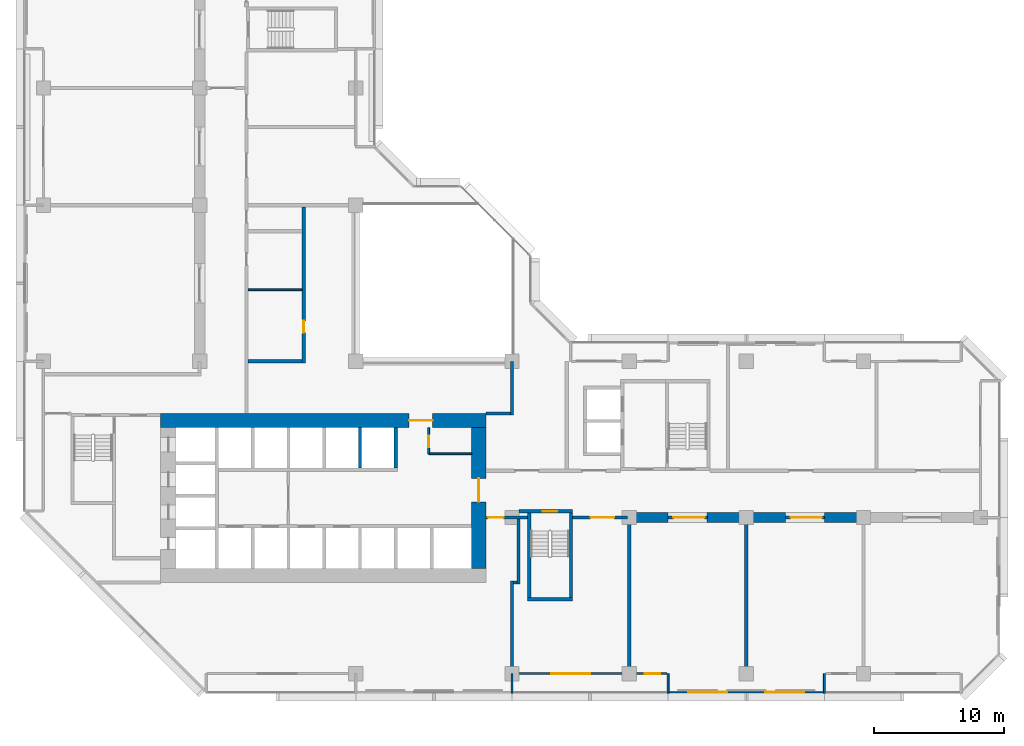
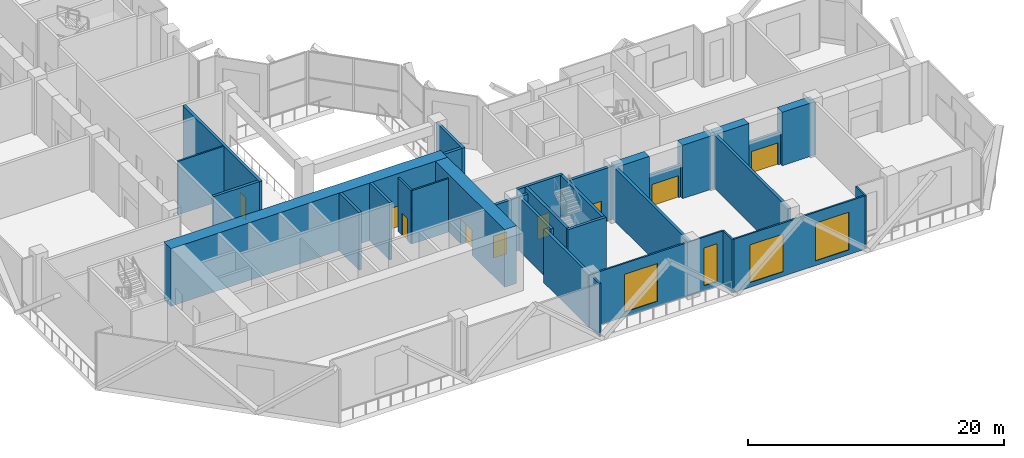
# One storey, part 7 of 14: 33 walls, 9 doors, 4 windows, 13 openings.
"""IFC4 building model written with IfcOpenShell, lengths in metres."""

from ifc_helpers import new_model, si_unit, direction, frame, frame_2d, origin, place, context, subcontext, project, spatial, rectangle, extrude, material, layer, layer_set, type_object, element, fill, save


model = new_model("IFC4")

# Units and contexts
model_context = context("Model", 3, precision=1e-05, world=origin(), true_north=direction((0.0, 1.0)))
body_context = subcontext(model_context, "Body", "Model", "MODEL_VIEW")
ifc_project = project(units=[si_unit("LENGTHUNIT", "METRE"), si_unit("AREAUNIT", "SQUARE_METRE"), si_unit("VOLUMEUNIT", "CUBIC_METRE"), si_unit("PLANEANGLEUNIT", "RADIAN"), si_unit("MASSUNIT", "GRAM", prefix="KILO")], contexts=[model_context])

# Site, building, storey
site_placement = place(None, origin())
site = spatial("IfcSite", under=ifc_project, at=site_placement, CompositionType="ELEMENT")
building_placement = place(site_placement, origin())
building = spatial("IfcBuilding", under=site, at=building_placement, Name="Chenar Terraces", CompositionType="ELEMENT")
storey_placement = place(building_placement, frame((0.0, 0.0, 86.39990234375)))
storey = spatial("IfcBuildingStorey", under=building, at=storey_placement, Name="L19", CompositionType="ELEMENT", Elevation=86.39990234375)

# Walls
ifc_material_1 = material(Name="Concrete C70/85", Category="concrete")
ifc_layer_1 = layer(ifc_material_1, 0.800048828125)
ifc_layer_set_1 = layer_set([ifc_layer_1], Name="Concrete C70/85")
wall_type_1 = type_object("IfcWallType", Name="Belt wall 800 Concrete C70/85", PredefinedType="SHEAR", material=ifc_layer_set_1)
wall_1_placement = place(storey_placement, frame((45.0, 12.0, 0.0), z_axis=(0.0, 0.0, 1.0), x_axis=(1.0, 0.0, 0.0)))
element("IfcWall", 1, at=wall_1_placement, inside=storey, type_object=wall_type_1, Name="Belt wall L19 A1", PredefinedType="SHEAR", context=body_context, shape_type="SweptSolid", body=[
    extrude(rectangle(XDim=3.0, YDim=0.800048828125, at=frame_2d((1.5, 0.0))), origin(), (0.0, 0.0, 1.0), 5.10009765625),
])
wall_2_placement = place(storey_placement, frame((51.0, 12.0, 0.0), z_axis=(0.0, 0.0, 1.0), x_axis=(1.0, 0.0, 0.0)))
element("IfcWall", 2, at=wall_2_placement, inside=storey, type_object=wall_type_1, Name="Belt wall L19 A1", PredefinedType="SHEAR", context=body_context, shape_type="SweptSolid", body=[
    extrude(rectangle(XDim=3.0, YDim=0.800048828125, at=frame_2d((1.5, 0.0))), origin(), (0.0, 0.0, 1.0), 5.10009765625),
])
wall_3_placement = place(storey_placement, frame((54.0, 12.0, 0.0), z_axis=(0.0, 0.0, 1.0), x_axis=(1.0, 0.0, 0.0)))
element("IfcWall", 3, at=wall_3_placement, inside=storey, type_object=wall_type_1, Name="Belt wall L19 A2", PredefinedType="SHEAR", context=body_context, shape_type="SweptSolid", body=[
    extrude(rectangle(XDim=3.0, YDim=0.800048828125, at=frame_2d((1.5, 0.0))), origin(), (0.0, 0.0, 1.0), 5.10009765625),
])
wall_4_placement = place(storey_placement, frame((60.0, 12.0, 0.0), z_axis=(0.0, 0.0, 1.0), x_axis=(1.0, 0.0, 0.0)))
element("IfcWall", 4, at=wall_4_placement, inside=storey, type_object=wall_type_1, Name="Belt wall L19 A2", PredefinedType="SHEAR", context=body_context, shape_type="SweptSolid", body=[
    extrude(rectangle(XDim=3.0, YDim=0.800048828125, at=frame_2d((1.5, 0.0))), origin(), (0.0, 0.0, 1.0), 5.10009765625),
])

# Wall, opening, door
ifc_material_2 = material(Name="Gypsum board on steel studs", Category="steel")
ifc_layer_2 = layer(ifc_material_2, 0.14990234375)
ifc_layer_set_2 = layer_set([ifc_layer_2], Name="Gypsum board on steel studs")
wall_type_2 = type_object("IfcWallType", Name="Core partition 150 gypsum board", PredefinedType="PARTITIONING", material=ifc_layer_set_2)
wall_5_placement = place(storey_placement, frame((29.60009765625, 16.89990234375, 0.0), z_axis=(0.0, 0.0, 1.0), x_axis=(0.0, 1.0, 0.0)))
wall_5 = element("IfcWall", 5, at=wall_5_placement, inside=storey, type_object=wall_type_2, Name="Core partition CP1 vestibule room west wall", PredefinedType="PARTITIONING", context=body_context, shape_type="SweptSolid", body=[
    extrude(rectangle(XDim=2.0, YDim=0.14990234375, at=frame_2d((1.0, 0.0))), origin(), (0.0, 0.0, 1.0), 5.10009765625),
])
opening_1_placement = place(wall_5_placement, frame((0.5, 0.0, 0.0)))
opening_1 = element("IfcOpeningElement", 6, at=opening_1_placement, cuts=wall_5, Name="Opening DL19-C13", PredefinedType="OPENING", context=body_context, shape_type="SweptSolid", body=[
    extrude(rectangle(XDim=0.89990234375, YDim=2.10009765625, at=frame_2d((0.449951171875, 1.050048828125))), frame((0.0, 0.0849609375, 0.0), z_axis=(0.0, -1.0, 0.0), x_axis=(1.0, 0.0, 0.0)), (0.0, 0.0, 1.0), 0.169921875),
])
ifc_material_3 = material(Name="Steel-framed fire-resisting door leaf", Category="steel")
door_type_1 = type_object("IfcDoorType", Name="Riser fire door FD60 900 x 2100", OperationType="SINGLE_SWING_LEFT", PredefinedType="DOOR", material=ifc_material_3)
door_1_placement = place(opening_1_placement, frame((0.89990234375, 0.0, 0.0), z_axis=(0.0, 0.0, 1.0), x_axis=(-1.0, 0.0, 0.0)))
door_1 = element("IfcDoor", 7, at=door_1_placement, inside=storey, type_object=door_type_1, Name="Core room door DL19-C13", OperationType="SINGLE_SWING_RIGHT", OverallHeight=2.10009765625, OverallWidth=0.89990234375, PredefinedType="DOOR", context=body_context, shape_type="SweptSolid", body=[
    extrude(rectangle(XDim=0.89990234375, YDim=2.10009765625, at=frame_2d((0.449951171875, 1.050048828125))), frame((0.0, 0.02490234375, 0.0), z_axis=(0.0, -1.0, 0.0), x_axis=(1.0, 0.0, 0.0)), (0.0, 0.0, 1.0), 0.050048828125),
])
fill(opening_1, door_1)

# Wall
wall_6_placement = place(storey_placement, frame((29.60009765625, 16.89990234375, 0.0), z_axis=(0.0, 0.0, 1.0), x_axis=(1.0, 0.0, 0.0)))
element("IfcWall", 8, at=wall_6_placement, inside=storey, type_object=wall_type_2, Name="Core partition CP1 vestibule room south wall", PredefinedType="PARTITIONING", context=body_context, shape_type="SweptSolid", body=[
    extrude(rectangle(XDim=3.2998046875, YDim=0.14990234375, at=frame_2d((1.64990234375, 0.0))), origin(), (0.0, 0.0, 1.0), 5.10009765625),
])

# Wall, opening, door
ifc_material_4 = material(Name="Concrete C70/85", Category="concrete")
ifc_layer_3 = layer(ifc_material_4, 1.10009765625)
ifc_layer_set_3 = layer_set([ifc_layer_3], Name="Concrete C70/85")
wall_type_3 = type_object("IfcWallType", Name="Core wall 1100 Concrete C70/85", PredefinedType="SHEAR", material=ifc_layer_set_3)
wall_7_placement = place(storey_placement, frame((9.0, 19.449951171875, 0.0), z_axis=(0.0, 0.0, 1.0), x_axis=(1.0, 0.0, 0.0)))
wall_7 = element("IfcWall", 9, at=wall_7_placement, inside=storey, type_object=wall_type_3, Name="Core wall N L19", PredefinedType="SHEAR", context=body_context, shape_type="SweptSolid", body=[
    extrude(rectangle(XDim=25.0, YDim=1.10009765625, at=frame_2d((12.5, 0.0))), origin(), (0.0, 0.0, 1.0), 5.5),
])
opening_2_placement = place(wall_7_placement, frame((19.10009765625, 0.0, 0.0)))
opening_2 = element("IfcOpeningElement", 10, at=opening_2_placement, cuts=wall_7, Name="Opening DL19-C2", PredefinedType="OPENING", context=body_context, shape_type="SweptSolid", body=[
    extrude(rectangle(XDim=1.800048828125, YDim=2.39990234375, at=frame_2d((0.89990234375, 1.199951171875))), frame((0.0, 0.56005859375, 0.0), z_axis=(0.0, -1.0, 0.0), x_axis=(1.0, 0.0, 0.0)), (0.0, 0.0, 1.0), 1.1201171875),
])
ifc_material_5 = material(Name="Steel-framed fire-resisting door leaf", Category="steel")
door_type_2 = type_object("IfcDoorType", Name="Core entrance double fire door FD60 1800 x 2400", OperationType="DOUBLE_DOOR_SINGLE_SWING", PredefinedType="DOOR", material=ifc_material_5)
door_2_placement = place(opening_2_placement, origin())
door_2 = element("IfcDoor", 11, at=door_2_placement, inside=storey, type_object=door_type_2, Name="Core door DL19-C2", OperationType="DOUBLE_DOOR_SINGLE_SWING", OverallHeight=2.39990234375, OverallWidth=1.800048828125, PredefinedType="DOOR", context=body_context, shape_type="SweptSolid", body=[
    extrude(rectangle(XDim=1.800048828125, YDim=2.39990234375, at=frame_2d((0.89990234375, 1.199951171875))), frame((0.0, 0.02490234375, 0.0), z_axis=(0.0, -1.0, 0.0), x_axis=(1.0, 0.0, 0.0)), (0.0, 0.0, 1.0), 0.050048828125),
])
fill(opening_2, door_2)

wall_8_placement = place(storey_placement, frame((33.449951171875, 8.10009765625, 0.0), z_axis=(0.0, 0.0, 1.0), x_axis=(0.0, 1.0, 0.0)))
wall_8 = element("IfcWall", 12, at=wall_8_placement, inside=storey, type_object=wall_type_3, Name="Core wall E L19", PredefinedType="SHEAR", context=body_context, shape_type="SweptSolid", body=[
    extrude(rectangle(XDim=10.7998046875, YDim=1.10009765625, at=frame_2d((5.39990234375, 0.0))), origin(), (0.0, 0.0, 1.0), 5.5),
])
opening_3_placement = place(wall_8_placement, frame((5.10009765625, 0.0, 0.0)))
opening_3 = element("IfcOpeningElement", 13, at=opening_3_placement, cuts=wall_8, Name="Opening DL19-C1", PredefinedType="OPENING", context=body_context, shape_type="SweptSolid", body=[
    extrude(rectangle(XDim=1.800048828125, YDim=2.39990234375, at=frame_2d((0.89990234375, 1.199951171875))), frame((0.0, 0.56005859375, 0.0), z_axis=(0.0, -1.0, 0.0), x_axis=(1.0, 0.0, 0.0)), (0.0, 0.0, 1.0), 1.1201171875),
])
door_3_placement = place(opening_3_placement, origin())
door_3 = element("IfcDoor", 14, at=door_3_placement, inside=storey, type_object=door_type_2, Name="Core door DL19-C1", OperationType="DOUBLE_DOOR_SINGLE_SWING", OverallHeight=2.39990234375, OverallWidth=1.800048828125, PredefinedType="DOOR", context=body_context, shape_type="SweptSolid", body=[
    extrude(rectangle(XDim=1.800048828125, YDim=2.39990234375, at=frame_2d((0.89990234375, 1.199951171875))), frame((0.0, 0.02490234375, 0.0), z_axis=(0.0, -1.0, 0.0), x_axis=(1.0, 0.0, 0.0)), (0.0, 0.0, 1.0), 0.050048828125),
])
fill(opening_3, door_3)

# Walls
ifc_material_6 = material(Name="Concrete C70/85", Category="concrete")
ifc_layer_4 = layer(ifc_material_6, 0.25)
ifc_layer_set_4 = layer_set([ifc_layer_4], Name="Concrete C70/85")
wall_type_4 = type_object("IfcWallType", Name="Core wall 250 Concrete C70/85", PredefinedType="SHEAR", material=ifc_layer_set_4)
for number, where, z_axis, x_axis, name in (
    (15, (24.324951171875, 15.800048828125, 0.0), (0.0, 0.0, 1.0), (0.0, 1.0, 0.0), "Core wall NS3 L19"),
    (16, (27.074951171875, 15.800048828125, 0.0), (0.0, 0.0, 1.0), (0.0, 1.0, 0.0), "Core wall NE L19"),
):
    element("IfcWall", number, at=place(storey_placement, frame(where, z_axis=z_axis, x_axis=x_axis)), inside=storey, type_object=wall_type_4, Name=name, PredefinedType="SHEAR", context=body_context, shape_type="SweptSolid", body=[
        extrude(rectangle(XDim=3.099853515625, YDim=0.25, at=frame_2d((1.5498046875, 0.0))), origin(), (0.0, 0.0, 1.0), 5.5),
    ])
wall_9_placement = place(storey_placement, frame((37.199951171875, 5.72509765625, 0.0), z_axis=(0.0, 0.0, 1.0), x_axis=(1.0, 0.0, 0.0)))
element("IfcWall", 17, at=wall_9_placement, inside=storey, type_object=wall_type_4, Name="Core wall ST2_S L19", PredefinedType="SHEAR", context=body_context, shape_type="SweptSolid", body=[
    extrude(rectangle(XDim=3.449951171875, YDim=0.25, at=frame_2d((1.72509765625, 0.0))), origin(), (0.0, 0.0, 1.0), 5.5),
])

# Wall, opening, door
wall_10_placement = place(storey_placement, frame((36.550048828125, 12.47509765625, 0.0), z_axis=(0.0, 0.0, 1.0), x_axis=(1.0, 0.0, 0.0)))
wall_10 = element("IfcWall", 18, at=wall_10_placement, inside=storey, type_object=wall_type_4, Name="Core wall ST2_N L19", PredefinedType="SHEAR", context=body_context, shape_type="SweptSolid", body=[
    extrude(rectangle(XDim=4.099853515625, YDim=0.25, at=frame_2d((2.0498046875, 0.0))), origin(), (0.0, 0.0, 1.0), 5.5),
])
opening_4_placement = place(wall_10_placement, frame((1.824951171875, 0.0, 0.0)))
opening_4 = element("IfcOpeningElement", 19, at=opening_4_placement, cuts=wall_10, Name="Opening DL19-C7", PredefinedType="OPENING", context=body_context, shape_type="SweptSolid", body=[
    extrude(rectangle(XDim=1.10009765625, YDim=2.199951171875, at=frame_2d((0.550048828125, 1.10009765625))), frame((0.0, 0.135009765625, 0.0), z_axis=(0.0, -1.0, 0.0), x_axis=(1.0, 0.0, 0.0)), (0.0, 0.0, 1.0), 0.27001953125),
])
ifc_material_7 = material(Name="Steel-framed fire-resisting door leaf", Category="steel")
door_type_3 = type_object("IfcDoorType", Name="Stair fire door FD60 1100 x 2200", OperationType="SINGLE_SWING_LEFT", PredefinedType="DOOR", material=ifc_material_7)
door_4_placement = place(opening_4_placement, frame((1.10009765625, 0.0, 0.0), z_axis=(0.0, 0.0, 1.0), x_axis=(-1.0, 0.0, 0.0)))
door_4 = element("IfcDoor", 20, at=door_4_placement, inside=storey, type_object=door_type_3, Name="Stair door DL19-C7", OperationType="SINGLE_SWING_LEFT", OverallHeight=2.199951171875, OverallWidth=1.10009765625, PredefinedType="DOOR", context=body_context, shape_type="SweptSolid", body=[
    extrude(rectangle(XDim=1.10009765625, YDim=2.199951171875, at=frame_2d((0.550048828125, 1.10009765625))), frame((0.0, 0.02490234375, 0.0), z_axis=(0.0, -1.0, 0.0), x_axis=(1.0, 0.0, 0.0)), (0.0, 0.0, 1.0), 0.050048828125),
])
fill(opening_4, door_4)

# Walls
for number, where, z_axis, x_axis, name in (
    (21, (37.324951171875, 5.85009765625, 0.0), (0.0, 0.0, 1.0), (0.0, 1.0, 0.0), "Core wall ST2_W L19"),
    (22, (40.52490234375, 5.85009765625, 0.0), (0.0, 0.0, 1.0), (0.0, 1.0, 0.0), "Core wall ST2_E L19"),
):
    element("IfcWall", number, at=place(storey_placement, frame(where, z_axis=z_axis, x_axis=x_axis)), inside=storey, type_object=wall_type_4, Name=name, PredefinedType="SHEAR", context=body_context, shape_type="SweptSolid", body=[
        extrude(rectangle(XDim=6.5, YDim=0.25, at=frame_2d((3.25, 0.0))), origin(), (0.0, 0.0, 1.0), 5.5),
    ])

# Wall, openings, windows
ifc_material_8 = material(Name="Aluminium framed glazing", Category="aluminium")
ifc_layer_5 = layer(ifc_material_8, 0.14990234375)
ifc_layer_set_5 = layer_set([ifc_layer_5], Name="Aluminium framed glazing")
wall_type_5 = type_object("IfcWallType", Name="Glazed flush facade wall 150", PredefinedType="SOLIDWALL", material=ifc_layer_set_5)
wall_11_placement = place(storey_placement, frame((48.074951171875, -1.425048828125, 0.0), z_axis=(0.0, 0.0, 1.0), x_axis=(1.0, 0.0, 0.0)))
wall_11 = element("IfcWall", 23, at=wall_11_placement, inside=storey, type_object=wall_type_5, Name="Glazed flush facade wall", PredefinedType="SOLIDWALL", context=body_context, shape_type="SweptSolid", body=[
    extrude(rectangle(XDim=11.85009765625, YDim=0.14990234375, at=frame_2d((5.925048828125, 0.0))), origin(), (0.0, 0.0, 1.0), 5.10009765625),
])
opening_5_placement = place(wall_11_placement, frame((1.46240234375, 0.0, 0.449951171875)))
opening_5 = element("IfcOpeningElement", 24, at=opening_5_placement, cuts=wall_11, Name="Opening W300x360", PredefinedType="OPENING", context=body_context, shape_type="SweptSolid", body=[
    extrude(rectangle(XDim=3.0, YDim=3.60009765625, at=frame_2d((1.5, 1.800048828125))), frame((0.0, 0.0849609375, 0.0), z_axis=(0.0, -1.0, 0.0), x_axis=(1.0, 0.0, 0.0)), (0.0, 0.0, 1.0), 0.169921875),
])
opening_6_placement = place(wall_11_placement, frame((7.387451171875, 0.0, 0.449951171875)))
opening_6 = element("IfcOpeningElement", 25, at=opening_6_placement, cuts=wall_11, Name="Opening W300x360", PredefinedType="OPENING", context=body_context, shape_type="SweptSolid", body=[
    extrude(rectangle(XDim=3.0, YDim=3.60009765625, at=frame_2d((1.5, 1.800048828125))), frame((0.0, 0.0849609375, 0.0), z_axis=(0.0, -1.0, 0.0), x_axis=(1.0, 0.0, 0.0)), (0.0, 0.0, 1.0), 0.169921875),
])
ifc_material_9 = material(Name="Low emissivity double glazing, aluminium frame", Category="aluminium")
window_type_1 = type_object("IfcWindowType", Name="Fixed light 3000 x 3600", PartitioningType="SINGLE_PANEL", PredefinedType="WINDOW", material=ifc_material_9)
window_1_placement = place(opening_5_placement, origin())
window_1 = element("IfcWindow", 26, at=window_1_placement, inside=storey, type_object=window_type_1, Name="Window", OverallHeight=3.60009765625, OverallWidth=3.0, PartitioningType="SINGLE_PANEL", PredefinedType="WINDOW", context=body_context, shape_type="SweptSolid", body=[
    extrude(rectangle(XDim=3.0, YDim=3.60009765625, at=frame_2d((1.5, 1.800048828125))), frame((0.0, 0.030029296875, 0.0), z_axis=(0.0, -1.0, 0.0), x_axis=(1.0, 0.0, 0.0)), (0.0, 0.0, 1.0), 0.06005859375),
])
fill(opening_5, window_1)
window_2_placement = place(opening_6_placement, origin())
window_2 = element("IfcWindow", 27, at=window_2_placement, inside=storey, type_object=window_type_1, Name="Window", OverallHeight=3.60009765625, OverallWidth=3.0, PartitioningType="SINGLE_PANEL", PredefinedType="WINDOW", context=body_context, shape_type="SweptSolid", body=[
    extrude(rectangle(XDim=3.0, YDim=3.60009765625, at=frame_2d((1.5, 1.800048828125))), frame((0.0, 0.030029296875, 0.0), z_axis=(0.0, -1.0, 0.0), x_axis=(1.0, 0.0, 0.0)), (0.0, 0.0, 1.0), 0.06005859375),
])
fill(opening_6, window_2)

ifc_material_10 = material(Name="Aluminium framed glazing", Category="aluminium")
ifc_layer_6 = layer(ifc_material_10, 0.14990234375)
ifc_layer_set_6 = layer_set([ifc_layer_6], Name="Aluminium framed glazing")
wall_type_6 = type_object("IfcWallType", Name="Glazed loggia back wall 150", PredefinedType="SOLIDWALL", material=ifc_layer_set_6)
wall_12_placement = place(storey_placement, frame((36.074951171875, 0.0, 0.0), z_axis=(0.0, 0.0, 1.0), x_axis=(1.0, 0.0, 0.0)))
wall_12 = element("IfcWall", 28, at=wall_12_placement, inside=storey, type_object=wall_type_6, Name="Glazed loggia back wall", PredefinedType="SOLIDWALL", context=body_context, shape_type="SweptSolid", body=[
    extrude(rectangle(XDim=11.85009765625, YDim=0.14990234375, at=frame_2d((5.925048828125, 0.0))), origin(), (0.0, 0.0, 1.0), 5.10009765625),
])
opening_7_placement = place(wall_12_placement, frame((2.925048828125, 0.0, 0.449951171875)))
opening_7 = element("IfcOpeningElement", 29, at=opening_7_placement, cuts=wall_12, Name="Opening W300x360", PredefinedType="OPENING", context=body_context, shape_type="SweptSolid", body=[
    extrude(rectangle(XDim=3.0, YDim=3.60009765625, at=frame_2d((1.5, 1.800048828125))), frame((0.0, 0.0849609375, 0.0), z_axis=(0.0, -1.0, 0.0), x_axis=(1.0, 0.0, 0.0)), (0.0, 0.0, 1.0), 0.169921875),
])
opening_8_placement = place(wall_12_placement, frame((10.112548828125, 0.0, 0.449951171875)))
opening_8 = element("IfcOpeningElement", 30, at=opening_8_placement, cuts=wall_12, Name="Opening W120x360", PredefinedType="OPENING", context=body_context, shape_type="SweptSolid", body=[
    extrude(rectangle(XDim=1.199951171875, YDim=3.60009765625, at=frame_2d((0.60009765625, 1.800048828125))), frame((0.0, 0.0849609375, 0.0), z_axis=(0.0, -1.0, 0.0), x_axis=(1.0, 0.0, 0.0)), (0.0, 0.0, 1.0), 0.169921875),
])
ifc_material_11 = material(Name="Low emissivity double glazing, aluminium frame", Category="aluminium")
window_type_2 = type_object("IfcWindowType", Name="Fixed light 1200 x 3600", PartitioningType="SINGLE_PANEL", PredefinedType="WINDOW", material=ifc_material_11)
window_3_placement = place(opening_8_placement, origin())
window_3 = element("IfcWindow", 31, at=window_3_placement, inside=storey, type_object=window_type_2, Name="Window", OverallHeight=3.60009765625, OverallWidth=1.199951171875, PartitioningType="SINGLE_PANEL", PredefinedType="WINDOW", context=body_context, shape_type="SweptSolid", body=[
    extrude(rectangle(XDim=1.199951171875, YDim=3.60009765625, at=frame_2d((0.60009765625, 1.800048828125))), frame((0.0, 0.030029296875, 0.0), z_axis=(0.0, -1.0, 0.0), x_axis=(1.0, 0.0, 0.0)), (0.0, 0.0, 1.0), 0.06005859375),
])
fill(opening_8, window_3)
window_4_placement = place(opening_7_placement, origin())
window_4 = element("IfcWindow", 32, at=window_4_placement, inside=storey, type_object=window_type_1, Name="Window", OverallHeight=3.60009765625, OverallWidth=3.0, PartitioningType="SINGLE_PANEL", PredefinedType="WINDOW", context=body_context, shape_type="SweptSolid", body=[
    extrude(rectangle(XDim=3.0, YDim=3.60009765625, at=frame_2d((1.5, 1.800048828125))), frame((0.0, 0.030029296875, 0.0), z_axis=(0.0, -1.0, 0.0), x_axis=(1.0, 0.0, 0.0)), (0.0, 0.0, 1.0), 0.06005859375),
])
fill(opening_7, window_4)

# Walls
ifc_material_12 = material(Name="Terracotta cladding on insulated backing", Category="masonry")
ifc_layer_7 = layer(ifc_material_12, 0.14990234375)
ifc_layer_set_7 = layer_set([ifc_layer_7], Name="Terracotta cladding on insulated backing")
wall_type_7 = type_object("IfcWallType", Name="Loggia return wall 150", PredefinedType="SOLIDWALL", material=ifc_layer_set_7)
for number, where, z_axis, x_axis, name in (
    (33, (36.0, -1.5, 0.0), (0.0, 0.0, 1.0), (0.0, 1.0, 0.0), "Loggia return wall"),
    (34, (48.0, -1.5, 0.0), (0.0, 0.0, 1.0), (0.0, 1.0, 0.0), "Loggia return wall"),
    (35, (60.0, -1.5, 0.0), (0.0, 0.0, 1.0), (0.0, 1.0, 0.0), "Loggia return wall"),
):
    element("IfcWall", number, at=place(storey_placement, frame(where, z_axis=z_axis, x_axis=x_axis)), inside=storey, type_object=wall_type_7, Name=name, PredefinedType="SOLIDWALL", context=body_context, shape_type="SweptSolid", body=[
        extrude(rectangle(XDim=1.5, YDim=0.14990234375, at=frame_2d((0.75, 0.0))), origin(), (0.0, 0.0, 1.0), 5.10009765625),
    ])
ifc_material_13 = material(Name="Fire-board and steel stud wall with mineral wool", Category="steel")
ifc_layer_8 = layer(ifc_material_13, 0.25)
ifc_layer_set_8 = layer_set([ifc_layer_8], Name="Fire-board and steel stud wall with mineral wool")
wall_type_8 = type_object("IfcWallType", Name="Refuge compartment wall 250", PredefinedType="PARTITIONING", material=ifc_layer_set_8)
wall_13_placement = place(storey_placement, frame((15.72509765625, 24.0, 0.0), z_axis=(0.0, 0.0, 1.0), x_axis=(1.0, 0.0, 0.0)))
element("IfcWall", 36, at=wall_13_placement, inside=storey, type_object=wall_type_8, Name="Partition L19-016", PredefinedType="PARTITIONING", context=body_context, shape_type="SweptSolid", body=[
    extrude(rectangle(XDim=4.14990234375, YDim=0.25, at=frame_2d((2.074951171875, 0.0))), origin(), (0.0, 0.0, 1.0), 5.10009765625),
])

# Wall, opening, door
wall_14_placement = place(storey_placement, frame((20.0, 23.875, 0.0), z_axis=(0.0, 0.0, 1.0), x_axis=(0.0, 1.0, 0.0)))
wall_14 = element("IfcWall", 37, at=wall_14_placement, inside=storey, type_object=wall_type_8, Name="Partition L19-022", PredefinedType="PARTITIONING", context=body_context, shape_type="SweptSolid", body=[
    extrude(rectangle(XDim=12.0, YDim=0.25, at=frame_2d((6.0, 0.0))), origin(), (0.0, 0.0, 1.0), 5.10009765625),
])
opening_9_placement = place(wall_14_placement, frame((2.324951171875, 0.0, 0.0)))
opening_9 = element("IfcOpeningElement", 38, at=opening_9_placement, cuts=wall_14, Name="Opening DL19-22", PredefinedType="OPENING", context=body_context, shape_type="SweptSolid", body=[
    extrude(rectangle(XDim=0.89990234375, YDim=2.10009765625, at=frame_2d((0.449951171875, 1.050048828125))), frame((0.0, 0.135009765625, 0.0), z_axis=(0.0, -1.0, 0.0), x_axis=(1.0, 0.0, 0.0)), (0.0, 0.0, 1.0), 0.27001953125),
])
ifc_material_14 = material(Name="Steel-framed fire-resisting door leaf", Category="steel")
door_type_4 = type_object("IfcDoorType", Name="Fire door FD120 900 x 2100", OperationType="SINGLE_SWING_LEFT", PredefinedType="DOOR", material=ifc_material_14)
door_5_placement = place(opening_9_placement, origin())
door_5 = element("IfcDoor", 39, at=door_5_placement, inside=storey, type_object=door_type_4, Name="Door DL19-22", OperationType="SINGLE_SWING_LEFT", OverallHeight=2.10009765625, OverallWidth=0.89990234375, PredefinedType="DOOR", context=body_context, shape_type="SweptSolid", body=[
    extrude(rectangle(XDim=0.89990234375, YDim=2.10009765625, at=frame_2d((0.449951171875, 1.050048828125))), frame((0.0, 0.02490234375, 0.0), z_axis=(0.0, -1.0, 0.0), x_axis=(1.0, 0.0, 0.0)), (0.0, 0.0, 1.0), 0.050048828125),
])
fill(opening_9, door_5)

wall_15_placement = place(storey_placement, frame((34.0, 12.0, 0.0), z_axis=(0.0, 0.0, 1.0), x_axis=(1.0, 0.0, 0.0)))
wall_15 = element("IfcWall", 40, at=wall_15_placement, inside=storey, type_object=wall_type_8, Name="Partition L19-024", PredefinedType="PARTITIONING", context=body_context, shape_type="SweptSolid", body=[
    extrude(rectangle(XDim=3.199951171875, YDim=0.25, at=frame_2d((1.60009765625, 0.0))), origin(), (0.0, 0.0, 1.0), 5.10009765625),
])
opening_10_placement = place(wall_15_placement, frame((0.14990234375, 0.0, 0.0)))
opening_10 = element("IfcOpeningElement", 41, at=opening_10_placement, cuts=wall_15, Name="Opening DL19-19", PredefinedType="OPENING", context=body_context, shape_type="SweptSolid", body=[
    extrude(rectangle(XDim=1.199951171875, YDim=2.10009765625, at=frame_2d((0.60009765625, 1.050048828125))), frame((0.0, 0.135009765625, 0.0), z_axis=(0.0, -1.0, 0.0), x_axis=(1.0, 0.0, 0.0)), (0.0, 0.0, 1.0), 0.27001953125),
])
ifc_material_15 = material(Name="Steel-framed fire-resisting door leaf", Category="steel")
door_type_5 = type_object("IfcDoorType", Name="Fire door FD120 1200 x 2100", OperationType="SINGLE_SWING_LEFT", PredefinedType="DOOR", material=ifc_material_15)
door_6_placement = place(opening_10_placement, frame((1.199951171875, 0.0, 0.0), z_axis=(0.0, 0.0, 1.0), x_axis=(-1.0, 0.0, 0.0)))
door_6 = element("IfcDoor", 42, at=door_6_placement, inside=storey, type_object=door_type_5, Name="Door DL19-19", OperationType="SINGLE_SWING_LEFT", OverallHeight=2.10009765625, OverallWidth=1.199951171875, PredefinedType="DOOR", context=body_context, shape_type="SweptSolid", body=[
    extrude(rectangle(XDim=1.199951171875, YDim=2.10009765625, at=frame_2d((0.60009765625, 1.050048828125))), frame((0.0, 0.02490234375, 0.0), z_axis=(0.0, -1.0, 0.0), x_axis=(1.0, 0.0, 0.0)), (0.0, 0.0, 1.0), 0.050048828125),
])
fill(opening_10, door_6)

# Walls
wall_16_placement = place(storey_placement, frame((34.0, 20.0, 0.0), z_axis=(0.0, 0.0, 1.0), x_axis=(1.0, 0.0, 0.0)))
element("IfcWall", 43, at=wall_16_placement, inside=storey, type_object=wall_type_8, Name="Partition L19-026", PredefinedType="PARTITIONING", context=body_context, shape_type="SweptSolid", body=[
    extrude(rectangle(XDim=1.875, YDim=0.25, at=frame_2d((0.9375, 0.0))), origin(), (0.0, 0.0, 1.0), 5.10009765625),
])
wall_17_placement = place(storey_placement, frame((36.0, 0.0, 0.0), z_axis=(0.0, 0.0, 1.0), x_axis=(0.0, 1.0, 0.0)))
element("IfcWall", 44, at=wall_17_placement, inside=storey, type_object=wall_type_8, Name="Partition L19-027", PredefinedType="PARTITIONING", context=body_context, shape_type="SweptSolid", body=[
    extrude(rectangle(XDim=7.125, YDim=0.25, at=frame_2d((3.5625, 0.0))), origin(), (0.0, 0.0, 1.0), 5.10009765625),
])
wall_18_placement = place(storey_placement, frame((36.0, 19.875, 0.0), z_axis=(0.0, 0.0, 1.0), x_axis=(0.0, 1.0, 0.0)))
element("IfcWall", 45, at=wall_18_placement, inside=storey, type_object=wall_type_8, Name="Partition L19-028", PredefinedType="PARTITIONING", context=body_context, shape_type="SweptSolid", body=[
    extrude(rectangle(XDim=4.125, YDim=0.25, at=frame_2d((2.0625, 0.0))), origin(), (0.0, 0.0, 1.0), 5.10009765625),
])
wall_19_placement = place(storey_placement, frame((36.125, 7.0, 0.0), z_axis=(0.0, 0.0, 1.0), x_axis=(1.0, 0.0, 0.0)))
element("IfcWall", 46, at=wall_19_placement, inside=storey, type_object=wall_type_8, Name="Partition L19-029", PredefinedType="PARTITIONING", context=body_context, shape_type="SweptSolid", body=[
    extrude(rectangle(XDim=0.25, YDim=0.25, at=frame_2d((0.125, 0.0))), origin(), (0.0, 0.0, 1.0), 5.10009765625),
])
wall_20_placement = place(storey_placement, frame((36.5, 6.875, 0.0), z_axis=(0.0, 0.0, 1.0), x_axis=(0.0, 1.0, 0.0)))
element("IfcWall", 47, at=wall_20_placement, inside=storey, type_object=wall_type_8, Name="Partition L19-030", PredefinedType="PARTITIONING", context=body_context, shape_type="SweptSolid", body=[
    extrude(rectangle(XDim=5.0, YDim=0.25, at=frame_2d((2.5, 0.0))), origin(), (0.0, 0.0, 1.0), 5.10009765625),
])

# Wall, opening, door
wall_21_placement = place(storey_placement, frame((40.64990234375, 12.0, 0.0), z_axis=(0.0, 0.0, 1.0), x_axis=(1.0, 0.0, 0.0)))
wall_21 = element("IfcWall", 48, at=wall_21_placement, inside=storey, type_object=wall_type_8, Name="Partition L19-032", PredefinedType="PARTITIONING", context=body_context, shape_type="SweptSolid", body=[
    extrude(rectangle(XDim=4.22509765625, YDim=0.25, at=frame_2d((2.112548828125, 0.0))), origin(), (0.0, 0.0, 1.0), 5.10009765625),
])
opening_11_placement = place(wall_21_placement, frame((1.39990234375, 0.0, 0.0)))
opening_11 = element("IfcOpeningElement", 49, at=opening_11_placement, cuts=wall_21, Name="Opening DL19-5", PredefinedType="OPENING", context=body_context, shape_type="SweptSolid", body=[
    extrude(rectangle(XDim=1.800048828125, YDim=2.10009765625, at=frame_2d((0.89990234375, 1.050048828125))), frame((0.0, 0.135009765625, 0.0), z_axis=(0.0, -1.0, 0.0), x_axis=(1.0, 0.0, 0.0)), (0.0, 0.0, 1.0), 0.27001953125),
])
ifc_material_16 = material(Name="Steel-framed fire-resisting door leaf", Category="steel")
door_type_6 = type_object("IfcDoorType", Name="Fire double door FD120 1800 x 2100", OperationType="DOUBLE_DOOR_SINGLE_SWING", PredefinedType="DOOR", material=ifc_material_16)
door_7_placement = place(opening_11_placement, frame((1.800048828125, 0.0, 0.0), z_axis=(0.0, 0.0, 1.0), x_axis=(-1.0, 0.0, 0.0)))
door_7 = element("IfcDoor", 50, at=door_7_placement, inside=storey, type_object=door_type_6, Name="Door DL19-5", OperationType="DOUBLE_DOOR_SINGLE_SWING", OverallHeight=2.10009765625, OverallWidth=1.800048828125, PredefinedType="DOOR", context=body_context, shape_type="SweptSolid", body=[
    extrude(rectangle(XDim=1.800048828125, YDim=2.10009765625, at=frame_2d((0.89990234375, 1.050048828125))), frame((0.0, 0.02490234375, 0.0), z_axis=(0.0, -1.0, 0.0), x_axis=(1.0, 0.0, 0.0)), (0.0, 0.0, 1.0), 0.050048828125),
])
fill(opening_11, door_7)

# Wall
wall_22_placement = place(storey_placement, frame((45.0, 0.073974609375, 0.0), z_axis=(0.0, 0.0, 1.0), x_axis=(0.0, 1.0, 0.0)))
element("IfcWall", 51, at=wall_22_placement, inside=storey, type_object=wall_type_8, Name="Partition L19-033", PredefinedType="PARTITIONING", context=body_context, shape_type="SweptSolid", body=[
    extrude(rectangle(XDim=12.051025390625, YDim=0.25, at=frame_2d((6.025390625, 0.0))), origin(), (0.0, 0.0, 1.0), 5.10009765625),
])

# Wall, opening, door
wall_23_placement = place(storey_placement, frame((47.9990234375, 12.0, 0.0), z_axis=(0.0, 0.0, 1.0), x_axis=(1.0, 0.0, 0.0)))
wall_23 = element("IfcWall", 52, at=wall_23_placement, inside=storey, type_object=wall_type_8, Name="Partition L19-034", PredefinedType="PARTITIONING", context=body_context, shape_type="SweptSolid", body=[
    extrude(rectangle(XDim=3.001953125, YDim=0.25, at=frame_2d((1.5009765625, 0.0))), origin(), (0.0, 0.0, 1.0), 3.050048828125),
])
opening_12_placement = place(wall_23_placement, frame((0.40087890625, 0.0, 0.0)))
opening_12 = element("IfcOpeningElement", 53, at=opening_12_placement, cuts=wall_23, Name="Opening DL19-6", PredefinedType="OPENING", context=body_context, shape_type="SweptSolid", body=[
    extrude(rectangle(XDim=2.39990234375, YDim=2.10009765625, at=frame_2d((1.199951171875, 1.050048828125))), frame((0.0, 0.135009765625, 0.0), z_axis=(0.0, -1.0, 0.0), x_axis=(1.0, 0.0, 0.0)), (0.0, 0.0, 1.0), 0.27001953125),
])
ifc_material_17 = material(Name="Steel-framed fire-resisting door leaf", Category="steel")
door_type_7 = type_object("IfcDoorType", Name="Fire double door FD120 2400 x 2100", OperationType="DOUBLE_DOOR_SINGLE_SWING", PredefinedType="DOOR", material=ifc_material_17)
door_8_placement = place(opening_12_placement, frame((2.39990234375, 0.0, 0.0), z_axis=(0.0, 0.0, 1.0), x_axis=(-1.0, 0.0, 0.0)))
door_8 = element("IfcDoor", 54, at=door_8_placement, inside=storey, type_object=door_type_7, Name="Door DL19-6", OperationType="DOUBLE_DOOR_SINGLE_SWING", OverallHeight=2.10009765625, OverallWidth=2.39990234375, PredefinedType="DOOR", context=body_context, shape_type="SweptSolid", body=[
    extrude(rectangle(XDim=2.39990234375, YDim=2.10009765625, at=frame_2d((1.199951171875, 1.050048828125))), frame((0.0, 0.02490234375, 0.0), z_axis=(0.0, -1.0, 0.0), x_axis=(1.0, 0.0, 0.0)), (0.0, 0.0, 1.0), 0.050048828125),
])
fill(opening_12, door_8)

# Wall
wall_24_placement = place(storey_placement, frame((54.0, 0.0, 0.0), z_axis=(0.0, 0.0, 1.0), x_axis=(0.0, 1.0, 0.0)))
element("IfcWall", 55, at=wall_24_placement, inside=storey, type_object=wall_type_8, Name="Partition L19-037", PredefinedType="PARTITIONING", context=body_context, shape_type="SweptSolid", body=[
    extrude(rectangle(XDim=11.60107421875, YDim=0.25, at=frame_2d((5.800537109375, 0.0))), origin(), (0.0, 0.0, 1.0), 5.10009765625),
])

# Wall, opening, door
wall_25_placement = place(storey_placement, frame((56.9990234375, 12.0, 0.0), z_axis=(0.0, 0.0, 1.0), x_axis=(1.0, 0.0, 0.0)))
wall_25 = element("IfcWall", 56, at=wall_25_placement, inside=storey, type_object=wall_type_8, Name="Partition L19-038", PredefinedType="PARTITIONING", context=body_context, shape_type="SweptSolid", body=[
    extrude(rectangle(XDim=3.001953125, YDim=0.25, at=frame_2d((1.5009765625, 0.0))), origin(), (0.0, 0.0, 1.0), 3.050048828125),
])
opening_13_placement = place(wall_25_placement, frame((0.40087890625, 0.0, 0.0)))
opening_13 = element("IfcOpeningElement", 57, at=opening_13_placement, cuts=wall_25, Name="Opening DL19-7", PredefinedType="OPENING", context=body_context, shape_type="SweptSolid", body=[
    extrude(rectangle(XDim=2.39990234375, YDim=2.10009765625, at=frame_2d((1.199951171875, 1.050048828125))), frame((0.0, 0.135009765625, 0.0), z_axis=(0.0, -1.0, 0.0), x_axis=(1.0, 0.0, 0.0)), (0.0, 0.0, 1.0), 0.27001953125),
])
door_9_placement = place(opening_13_placement, frame((2.39990234375, 0.0, 0.0), z_axis=(0.0, 0.0, 1.0), x_axis=(-1.0, 0.0, 0.0)))
door_9 = element("IfcDoor", 58, at=door_9_placement, inside=storey, type_object=door_type_7, Name="Door DL19-7", OperationType="DOUBLE_DOOR_SINGLE_SWING", OverallHeight=2.10009765625, OverallWidth=2.39990234375, PredefinedType="DOOR", context=body_context, shape_type="SweptSolid", body=[
    extrude(rectangle(XDim=2.39990234375, YDim=2.10009765625, at=frame_2d((1.199951171875, 1.050048828125))), frame((0.0, 0.02490234375, 0.0), z_axis=(0.0, -1.0, 0.0), x_axis=(1.0, 0.0, 0.0)), (0.0, 0.0, 1.0), 0.050048828125),
])
fill(opening_13, door_9)

# Wall
ifc_material_18 = material(Name="Moisture-resistant gypsum board on steel studs", Category="steel")
ifc_layer_9 = layer(ifc_material_18, 0.14990234375)
ifc_layer_set_9 = layer_set([ifc_layer_9], Name="Moisture-resistant gypsum board on steel studs")
wall_type_9 = type_object("IfcWallType", Name="Wet-room partition 150", PredefinedType="PARTITIONING", material=ifc_layer_set_9)
wall_26_placement = place(storey_placement, frame((15.72509765625, 29.5, 0.0), z_axis=(0.0, 0.0, 1.0), x_axis=(1.0, 0.0, 0.0)))
element("IfcWall", 59, at=wall_26_placement, inside=storey, type_object=wall_type_9, Name="Partition L19-017", PredefinedType="PARTITIONING", context=body_context, shape_type="SweptSolid", body=[
    extrude(rectangle(XDim=4.14990234375, YDim=0.14990234375, at=frame_2d((2.074951171875, 0.0))), origin(), (0.0, 0.0, 1.0), 5.10009765625),
])

save(model, "model.ifc")
